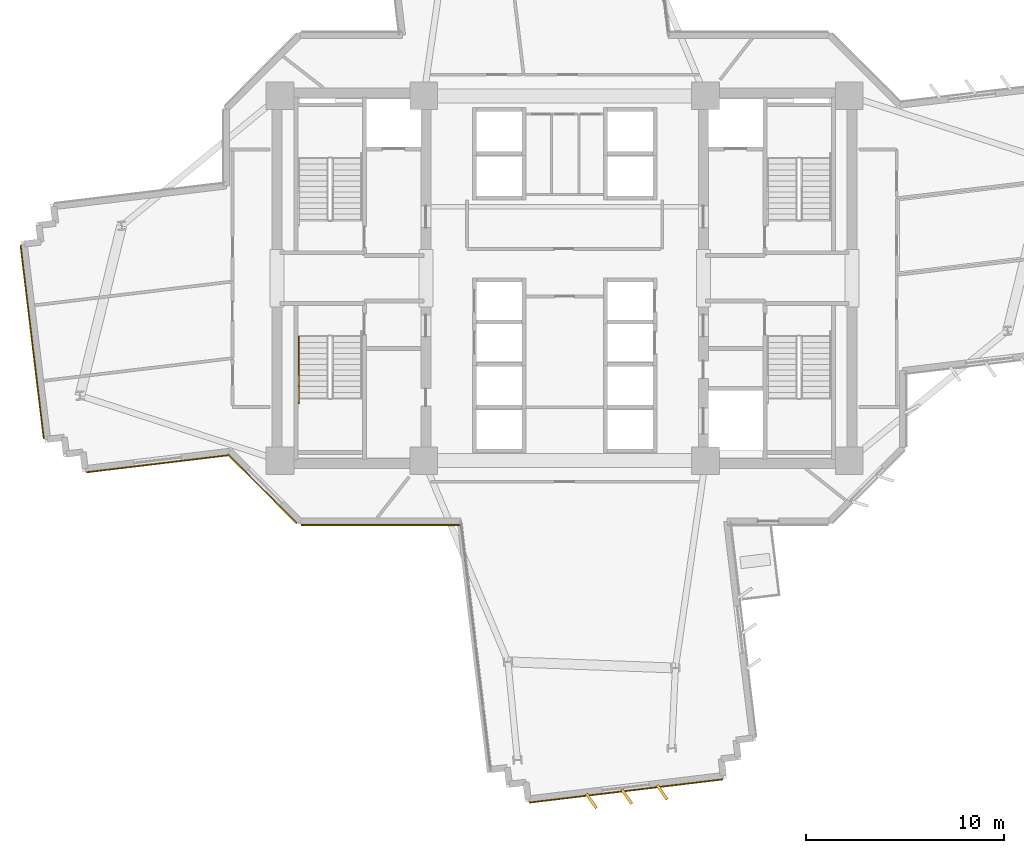
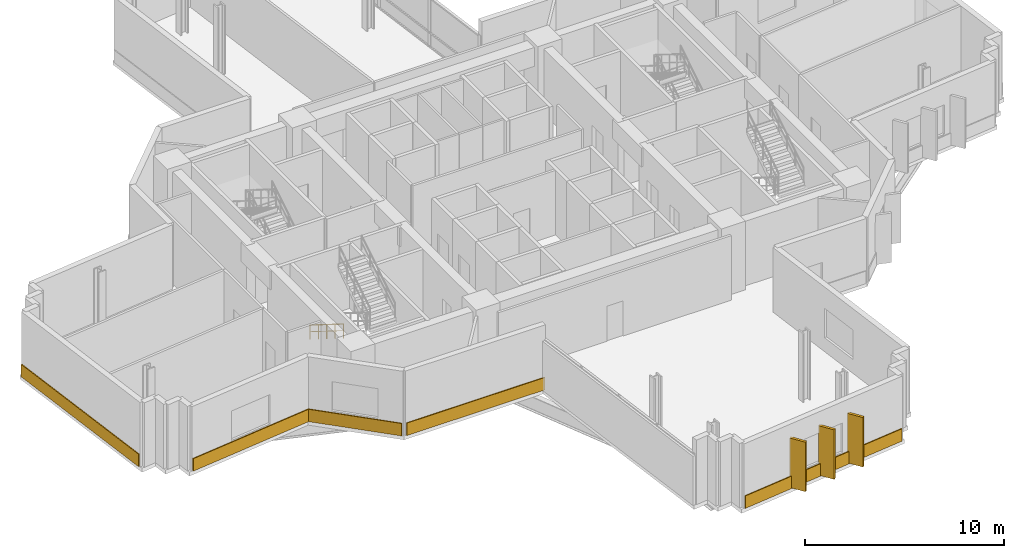
# One storey, part 11 of 15: 8 coverings, 1 railing.
"""IFC4 building model written with IfcOpenShell, lengths in metres."""

from ifc_helpers import new_model, si_unit, direction, frame, origin, origin_2d, place, context, subcontext, project, spatial, rectangle, extrude, source, transform, mapped, material, layer, layer_set, type_object, element, save


model = new_model("IFC4")

# Units and contexts
model_context = context("Model", 3, precision=1e-05, world=origin(), true_north=direction((0.0, 1.0)))
body_context = subcontext(model_context, "Body", "Model", "MODEL_VIEW")
ifc_project = project(units=[si_unit("LENGTHUNIT", "METRE"), si_unit("AREAUNIT", "SQUARE_METRE"), si_unit("VOLUMEUNIT", "CUBIC_METRE"), si_unit("PLANEANGLEUNIT", "RADIAN"), si_unit("MASSUNIT", "GRAM", prefix="KILO")], contexts=[model_context])

# Site, building, storey
site_placement = place(None, origin())
site = spatial("IfcSite", under=ifc_project, at=site_placement, CompositionType="ELEMENT")
building_placement = place(site_placement, origin())
building = spatial("IfcBuilding", under=site, at=building_placement, Name="Zahravan Cultural Tower", CompositionType="ELEMENT")
storey_placement = place(building_placement, frame((0.0, 0.0, 108.89990234375)))
storey = spatial("IfcBuildingStorey", under=building, at=storey_placement, Name="L24", CompositionType="ELEMENT", Elevation=108.89990234375)

# Railing
ifc_material_1 = material(Name="Steel ASTM A572 Grade 50", Category="steel")
railing_type = type_object("IfcRailingType", Name="RL-STAIR-HR900", PredefinedType="HANDRAIL", material=ifc_material_1)
railing_placement = place(storey_placement, frame((22.60009765625, 24.050048828125, 0.175048828125)))
element("IfcRailing", 1, at=railing_placement, inside=storey, type_object=railing_type, Name="L24 ST-W2 stair handrail 1", PredefinedType="HANDRAIL", context=body_context, shape_type="SweptSolid", body=[
    extrude(rectangle(XDim=0.05, YDim=0.05, at=origin_2d()), frame((0.0, 0.0, 0.875), z_axis=(0.0, -0.847994842521, 0.530004478338), x_axis=(1.0, 0.0, 0.0)), (0.0, 0.0, 1.0), 3.96240234375),
    extrude(rectangle(XDim=0.032, YDim=0.032, at=origin_2d()), frame((0.0, 0.0, 0.468017578125), z_axis=(0.0, -0.847994842521, 0.530004478338), x_axis=(1.0, 0.0, 0.0)), (0.0, 0.0, 1.0), 3.96240234375),
    extrude(rectangle(XDim=0.04, YDim=0.04, at=origin_2d()), origin(), (0.0, 0.0, 1.0), 0.89990234375),
    extrude(rectangle(XDim=0.04, YDim=0.04, at=origin_2d()), frame((0.0, -0.840087890625, 0.52490234375)), (0.0, 0.0, 1.0), 0.89990234375),
    extrude(rectangle(XDim=0.04, YDim=0.04, at=origin_2d()), frame((0.0, -1.68017578125, 1.050048828125)), (0.0, 0.0, 1.0), 0.89990234375),
    extrude(rectangle(XDim=0.04, YDim=0.04, at=origin_2d()), frame((0.0, -2.52001953125, 1.5751953125)), (0.0, 0.0, 1.0), 0.89990234375),
    extrude(rectangle(XDim=0.04, YDim=0.04, at=origin_2d()), frame((0.0, -3.360107421875, 2.10009765625)), (0.0, 0.0, 1.0), 0.89990234375),
])

# Coverings
ifc_material_2 = material(Name="Terracotta ceramic cladding", Category="masonry")
ifc_layer = layer(ifc_material_2, 0.06005859375)
ifc_layer_set = layer_set([ifc_layer], Name="Terracotta ceramic cladding")
covering_type = type_object("IfcCoveringType", Name="COV-CLAD-TC60", PredefinedType="CLADDING", material=ifc_layer_set)
shared_shape_1 = source(origin(), body_context, "Body", "SweptSolid", [
    extrude(rectangle(XDim=9.820068359375, YDim=0.06005859375, at=origin_2d()), origin(), (0.0, 0.0, 1.0), 0.760009765625),
])
for number, where, z_axis, x_axis, name in (
    (2, (39.101806640625, 1.140380859375, 0.02001953125), (0.0, 0.0, 1.0), (-0.992884683056, -0.119079831006, 0.0), "L24 Terracotta Spandrel Cladding 20"),
    (3, (9.1474609375, 23.779052734375, 0.02001953125), (0.0, 0.0, 1.0), (-0.119097160095, 0.99288260457, 0.0), "L24 Terracotta Spandrel Cladding 32"),
):
    element("IfcCovering", number, at=place(storey_placement, frame(where, z_axis=z_axis, x_axis=x_axis)), inside=storey, type_object=covering_type, Name=name, PredefinedType="CLADDING", context=body_context, shape_type="MappedRepresentation", body=[
        mapped(shared_shape_1, transform((0.0, 0.0, 0.0), x_axis=(1.0, 0.0, 0.0), y_axis=(0.0, 1.0, 0.0), z_axis=(0.0, 0.0, 1.0), scale=1.0)),
    ])
shared_shape_2 = source(origin(), body_context, "Body", "SweptSolid", [
    extrude(rectangle(XDim=0.8798828125, YDim=0.139892578125, at=origin_2d()), origin(), (0.0, 0.0, 1.0), 3.030029296875),
])
for number, where, z_axis, x_axis, name in (
    (4, (40.923095703125, 1.07177734375, 0.05029296875), (0.0, 0.0, 1.0), (0.571272373966, -0.820760546532, 0.0), "L24 Herringbone Terracotta Fin 16"),
    (5, (39.1357421875, 0.857421875, 0.05029296875), (0.0, 0.0, 1.0), (0.571272373966, -0.820760546532, 0.0), "L24 Herringbone Terracotta Fin 17"),
    (6, (37.3486328125, 0.64306640625, 0.05029296875), (0.0, 0.0, 1.0), (0.571272373966, -0.820760546532, 0.0), "L24 Herringbone Terracotta Fin 18"),
):
    element("IfcCovering", number, at=place(storey_placement, frame(where, z_axis=z_axis, x_axis=x_axis)), inside=storey, type_object=covering_type, Name=name, PredefinedType="CLADDING", context=body_context, shape_type="MappedRepresentation", body=[
        mapped(shared_shape_2, transform((0.0, 0.0, 0.0), x_axis=(1.0, 0.0, 0.0), y_axis=(0.0, 1.0, 0.0), z_axis=(0.0, 0.0, 1.0), scale=1.0)),
    ])
shared_shape_3 = source(origin(), body_context, "Body", "SweptSolid", [
    extrude(rectangle(XDim=7.269775390625, YDim=0.06005859375, at=origin_2d()), origin(), (0.0, 0.0, 1.0), 0.760009765625),
])
covering_1_placement = place(storey_placement, frame((15.492919921875, 17.64599609375, 0.02001953125), z_axis=(0.0, 0.0, 1.0), x_axis=(-0.99288260457, -0.119097160095, 0.0)))
element("IfcCovering", 7, at=covering_1_placement, inside=storey, type_object=covering_type, Name="L24 Terracotta Spandrel Cladding 27", PredefinedType="CLADDING", context=body_context, shape_type="MappedRepresentation", body=[
    mapped(shared_shape_3, transform((0.0, 0.0, 0.0), x_axis=(1.0, 0.0, 0.0), y_axis=(0.0, 1.0, 0.0), z_axis=(0.0, 0.0, 1.0), scale=1.0)),
])
shared_shape_4 = source(origin(), body_context, "Body", "SweptSolid", [
    extrude(rectangle(XDim=8.0048828125, YDim=0.06005859375, at=origin_2d()), origin(), (0.0, 0.0, 1.0), 0.760009765625),
])
covering_2_placement = place(storey_placement, frame((26.71044921875, 14.554931640625, 0.02001953125), z_axis=(0.0, 0.0, 1.0), x_axis=(-1.0, 0.0, 0.0)))
element("IfcCovering", 8, at=covering_2_placement, inside=storey, type_object=covering_type, Name="L24 Terracotta Spandrel Cladding 25", PredefinedType="CLADDING", context=body_context, shape_type="MappedRepresentation", body=[
    mapped(shared_shape_4, transform((0.0, 0.0, 0.0), x_axis=(1.0, 0.0, 0.0), y_axis=(0.0, 1.0, 0.0), z_axis=(0.0, 0.0, 1.0), scale=1.0)),
])
shared_shape_5 = source(origin(), body_context, "Body", "SweptSolid", [
    extrude(rectangle(XDim=4.89013671875, YDim=0.06005859375, at=origin_2d()), origin(), (0.0, 0.0, 1.0), 0.760009765625),
])
covering_3_placement = place(storey_placement, frame((20.762939453125, 16.37353515625, 0.02001953125), z_axis=(0.0, 0.0, 1.0), x_axis=(-0.707106781187, 0.707106781187, 0.0)))
element("IfcCovering", 9, at=covering_3_placement, inside=storey, type_object=covering_type, Name="L24 Terracotta Spandrel Cladding 26", PredefinedType="CLADDING", context=body_context, shape_type="MappedRepresentation", body=[
    mapped(shared_shape_5, transform((0.0, 0.0, 0.0), x_axis=(1.0, 0.0, 0.0), y_axis=(0.0, 1.0, 0.0), z_axis=(0.0, 0.0, 1.0), scale=1.0)),
])

save(model, "model.ifc")
